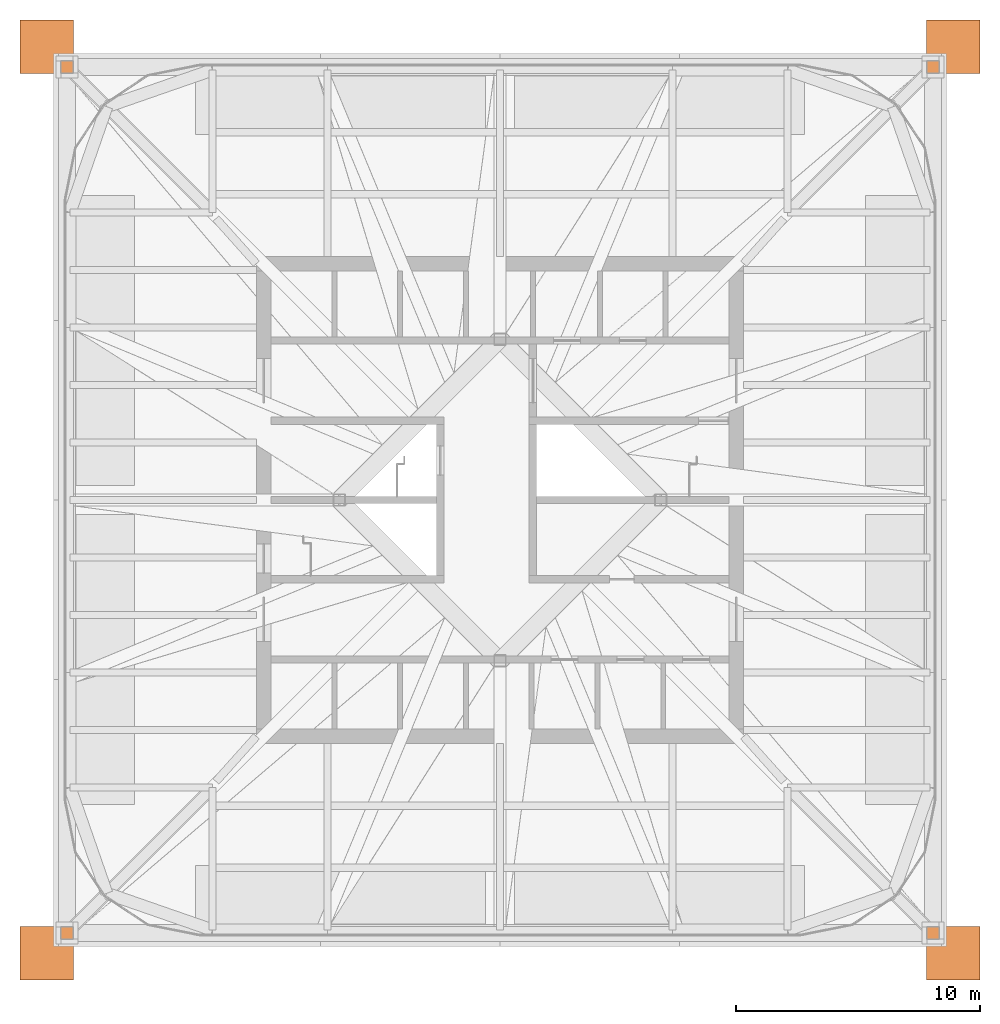
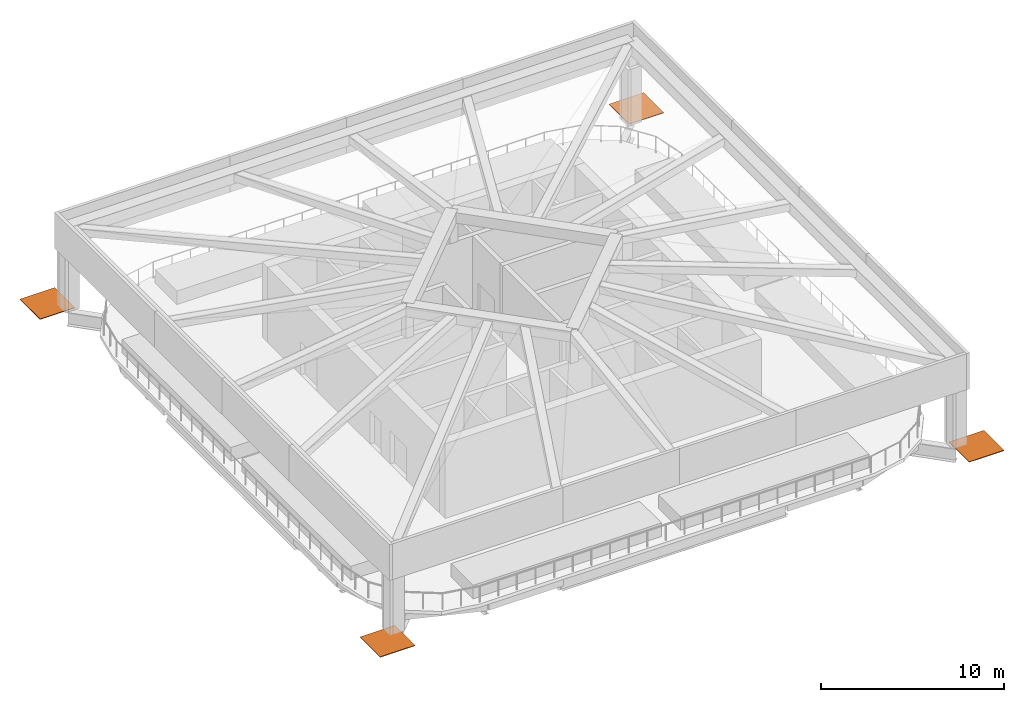
# One storey, part 7 of 7: 4 proxies.
"""IFC4 building model written with IfcOpenShell, lengths in metres."""

from ifc_helpers import new_model, si_unit, direction, frame, origin, origin_2d, place, context, subcontext, project, spatial, rectangle, extrude, material, layer, layer_set, type_object, element, save


model = new_model("IFC4")

# Units and contexts
model_context = context("Model", 3, precision=1e-05, world=origin(), true_north=direction((0.0, 1.0)))
body_context = subcontext(model_context, "Body", "Model", "MODEL_VIEW")
ifc_project = project(units=[si_unit("LENGTHUNIT", "METRE"), si_unit("AREAUNIT", "SQUARE_METRE"), si_unit("VOLUMEUNIT", "CUBIC_METRE"), si_unit("PLANEANGLEUNIT", "RADIAN"), si_unit("MASSUNIT", "GRAM", prefix="KILO")], contexts=[model_context])

# Site, building, storey
site_placement = place(None, origin())
site = spatial("IfcSite", under=ifc_project, at=site_placement, CompositionType="ELEMENT")
building_placement = place(site_placement, origin())
building = spatial("IfcBuilding", under=site, at=building_placement, Name="Turquesa Mirador Hotel Tower", CompositionType="ELEMENT")
storey_placement = place(building_placement, frame((0.0, 0.0, 272.199951171875)))
storey = spatial("IfcBuildingStorey", under=building, at=storey_placement, Name="RF", CompositionType="ELEMENT", Elevation=272.199951171875)

# Proxies
ifc_material = material(Name="Steel ASTM A572 Grade 50", Category="steel")
ifc_layer = layer(ifc_material, 0.0400390625)
ifc_layer_set = layer_set([ifc_layer], Name="CAP PLATE ON MEGA COLUMN 2200X2200X40")
building_element_proxy_type = type_object("IfcBuildingElementProxyType", Name="CAP PLATE ON MEGA COLUMN 2200X2200X40", PredefinedType="USERDEFINED", material=ifc_layer_set)
for number, where, z_axis, x_axis, name in (
    (1, (73.60009765625, 63.60009765625, 0.0), (0.0, 0.0, 1.0), (1.0, 0.0, 0.0), "Mega column M1 cap plate"),
    (2, (36.39990234375, 63.60009765625, 0.0), (0.0, 0.0, 1.0), (1.0, 0.0, 0.0), "Mega column M2 cap plate"),
    (3, (36.39990234375, 26.39990234375, 0.0), (0.0, 0.0, 1.0), (1.0, 0.0, 0.0), "Mega column M3 cap plate"),
    (4, (73.60009765625, 26.39990234375, 0.0), (0.0, 0.0, 1.0), (1.0, 0.0, 0.0), "Mega column M4 cap plate"),
):
    element("IfcBuildingElementProxy", number, at=place(storey_placement, frame(where, z_axis=z_axis, x_axis=x_axis)), inside=storey, type_object=building_element_proxy_type, Name=name, ObjectType="CAP PLATE", PredefinedType="USERDEFINED", context=body_context, shape_type="SweptSolid", body=[
        extrude(rectangle(XDim=2.199951171875, YDim=2.199951171875, at=origin_2d()), origin(), (0.0, 0.0, 1.0), 0.0400390625),
    ])

save(model, "model.ifc")
